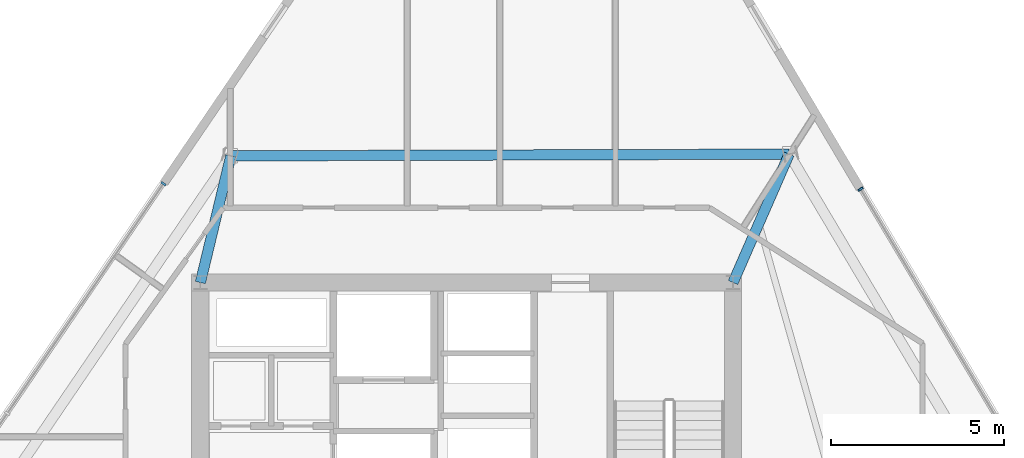
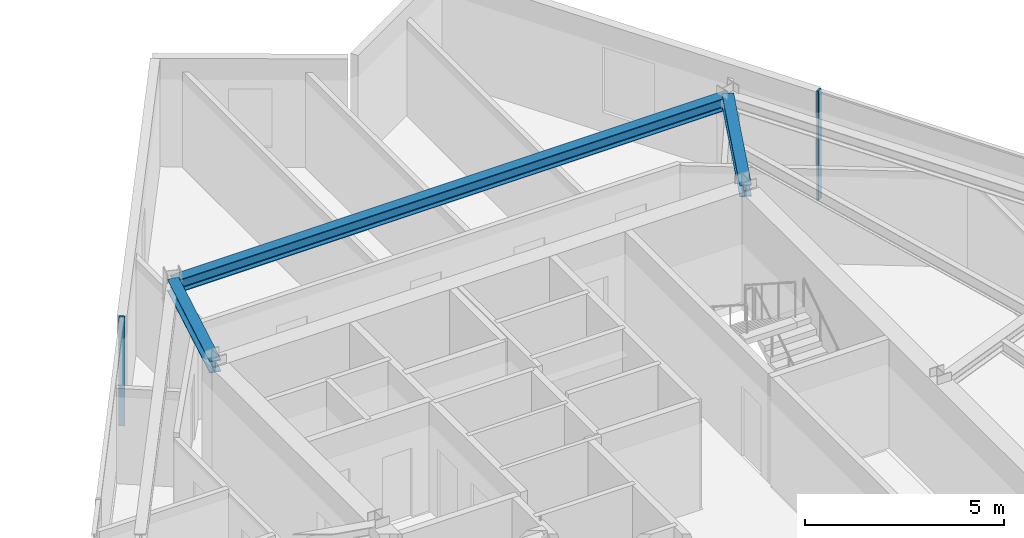
# One storey, part 7 of 16: 3 beams, 2 members, 2 elements without a shape of their own.
"""IFC4 building model written with IfcOpenShell, lengths in metres."""

from ifc_helpers import new_model, si_unit, direction, frame, origin, origin_2d, place, context, subcontext, project, spatial, rectangle, i_section, extrude, material, material_profile, profile_set, type_object, element, aggregate, save


model = new_model("IFC4")

# Units and contexts
model_context = context("Model", 3, precision=1e-05, world=origin(), true_north=direction((0.0, 1.0)))
body_context = subcontext(model_context, "Body", "Model", "MODEL_VIEW")
ifc_project = project(units=[si_unit("LENGTHUNIT", "METRE"), si_unit("AREAUNIT", "SQUARE_METRE"), si_unit("VOLUMEUNIT", "CUBIC_METRE"), si_unit("PLANEANGLEUNIT", "RADIAN"), si_unit("MASSUNIT", "GRAM", prefix="KILO")], contexts=[model_context])

# Site, building, storey
site_placement = place(None, origin())
site = spatial("IfcSite", under=ifc_project, at=site_placement, CompositionType="ELEMENT")
building_placement = place(site_placement, origin())
building = spatial("IfcBuilding", under=site, at=building_placement, Name="Savorim Split Tower", CompositionType="ELEMENT")
storey_placement = place(building_placement, frame((0.0, 0.0, 160.199951171875)))
storey = spatial("IfcBuildingStorey", under=building, at=storey_placement, Name="L42", CompositionType="ELEMENT", Elevation=160.199951171875)

# Beams
ifc_material_1 = material(Name="Steel S355", Category="steel")
ifc_material_profile_1 = material_profile(ifc_material_1, i_section(OverallWidth=0.300048828125, OverallDepth=0.360107421875, WebThickness=0.012451171875, FlangeThickness=0.0224609375, FilletRadius=0.027099609375, at=origin_2d()), Name="HEB 360")
ifc_profile_set_1 = profile_set([ifc_material_profile_1], Name="Steel S355")
beam_type_1 = type_object("IfcBeamType", Name="BM-PRI-HEB360", PredefinedType="BEAM", material=ifc_profile_set_1)
beam_1_placement = place(storey_placement, frame((9.322021484375, 13.91162109375, 3.170166015625), z_axis=(-0.400448868023, -0.916319106043, 0.0), x_axis=(0.916319106043, -0.400448868023, 0.0)))
element("IfcBeam", 1, at=beam_1_placement, inside=storey, type_object=beam_type_1, Name="L42 Primary Floor Girder RG-07", PredefinedType="BEAM", context=body_context, shape_type="SweptSolid", body=[
    extrude(i_section(OverallWidth=0.300048828125, OverallDepth=0.360107421875, WebThickness=0.012451171875, FlangeThickness=0.0224609375, FilletRadius=0.027099609375, at=origin_2d()), origin(), (0.0, 0.0, 1.0), 4.050537109375),
])
beam_2_placement = place(storey_placement, frame((-6.81982421875, 13.86279296875, 3.170166015625), z_axis=(-0.233635218063, -0.972324320832, 0.0), x_axis=(0.972324320832, -0.233635218063, 0.0)))
element("IfcBeam", 2, at=beam_2_placement, inside=storey, type_object=beam_type_1, Name="L42 Primary Floor Girder RG-08", PredefinedType="BEAM", context=body_context, shape_type="SweptSolid", body=[
    extrude(i_section(OverallWidth=0.300048828125, OverallDepth=0.360107421875, WebThickness=0.012451171875, FlangeThickness=0.0224609375, FilletRadius=0.027099609375, at=origin_2d()), origin(), (0.0, 0.0, 1.0), 3.76708984375),
])
ifc_material_profile_2 = material_profile(ifc_material_1, i_section(OverallWidth=0.300048828125, OverallDepth=0.389892578125, WebThickness=0.010986328125, FlangeThickness=0.01904296875, FilletRadius=0.027099609375, at=origin_2d()), Name="HEA 400")
ifc_profile_set_2 = profile_set([ifc_material_profile_2], Name="Steel S355")
beam_type_2 = type_object("IfcBeamType", Name="BM-SPN-HEA400", PredefinedType="SPANDREL", material=ifc_profile_set_2)
beam_3_placement = place(storey_placement, frame((9.322021484375, 13.91162109375, 3.155029296875), z_axis=(-0.999995424898, -0.003024926796, 0.0), x_axis=(0.003024926796, -0.999995424898, 0.0)))
element("IfcBeam", 3, at=beam_3_placement, inside=storey, type_object=beam_type_2, Name="L42 Perimeter Spandrel Beam 7", PredefinedType="SPANDREL", context=body_context, shape_type="SweptSolid", body=[
    extrude(i_section(OverallWidth=0.300048828125, OverallDepth=0.389892578125, WebThickness=0.010986328125, FlangeThickness=0.01904296875, FilletRadius=0.027099609375, at=origin_2d()), origin(), (0.0, 0.0, 1.0), 16.141845703125),
])

# Curtain wall, member
ifc_material_2 = material(Name="Dark Ceramic-Fritted Insulated Glass", Category="glass")
curtain_wall_type = type_object("IfcCurtainWallType", Name="CW-TWR-FRIT-B", PredefinedType="NOTDEFINED", material=ifc_material_2)
curtain_wall_1_placement = place(storey_placement, origin())
curtain_wall_1 = element("IfcCurtainWall", 4, at=curtain_wall_1_placement, inside=storey, type_object=curtain_wall_type, Name="L42 Curtain Wall CW-L42-EAST", PredefinedType="NOTDEFINED")
ifc_material_3 = material(Name="Charcoal Anodised Aluminium", Category="aluminium")
ifc_material_profile_3 = material_profile(ifc_material_3, rectangle(XDim=0.159912109375, YDim=0.06005859375, at=origin_2d()), Name="ALU-M 160x60")
ifc_profile_set_3 = profile_set([ifc_material_profile_3], Name="Charcoal Anodised Aluminium")
member_type = type_object("IfcMemberType", Name="CWM-160x60", PredefinedType="MULLION", material=ifc_profile_set_3)
member_1_placement = place(storey_placement, frame((11.3857421875, 12.900390625, 0.0), z_axis=(0.0, 0.0, 1.0), x_axis=(-0.859526328423, -0.511091470039, 0.0)))
member_1 = element("IfcMember", 5, at=member_1_placement, type_object=member_type, Name="CW-03 mullion 5", PredefinedType="MULLION", context=body_context, shape_type="SweptSolid", body=[
    extrude(rectangle(XDim=0.159912109375, YDim=0.06005859375, at=origin_2d()), origin(), (0.0, 0.0, 1.0), 3.35009765625),
])
aggregate(curtain_wall_1, [member_1])

curtain_wall_2_placement = place(storey_placement, origin())
curtain_wall_2 = element("IfcCurtainWall", 6, at=curtain_wall_2_placement, inside=storey, type_object=curtain_wall_type, Name="L42 Curtain Wall CW-L42-WEST", PredefinedType="NOTDEFINED")
member_2_placement = place(storey_placement, frame((-8.767333984375, 13.05615234375, 0.0), z_axis=(0.0, 0.0, 1.0), x_axis=(0.826820104662, -0.562466456356, 0.0)))
member_2 = element("IfcMember", 7, at=member_2_placement, type_object=member_type, Name="CW-03 mullion 1", PredefinedType="MULLION", context=body_context, shape_type="SweptSolid", body=[
    extrude(rectangle(XDim=0.159912109375, YDim=0.06005859375, at=origin_2d()), origin(), (0.0, 0.0, 1.0), 3.35009765625),
])
aggregate(curtain_wall_2, [member_2])

save(model, "model.ifc")
